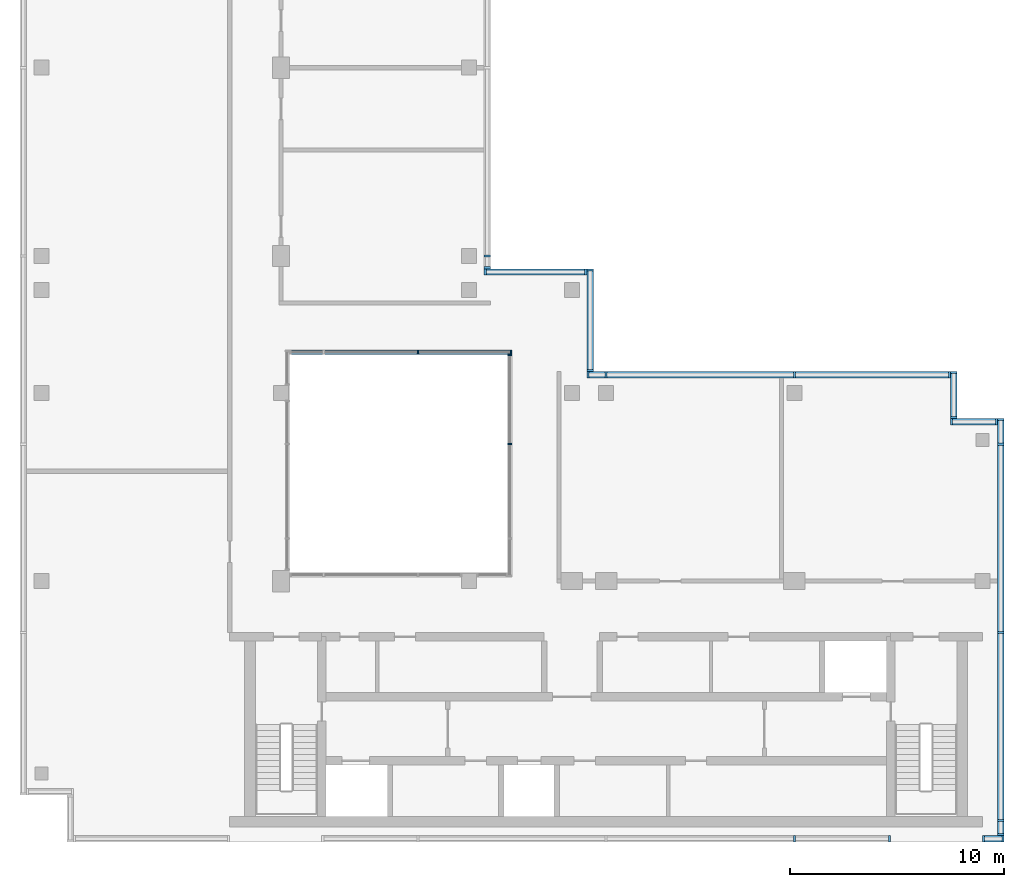
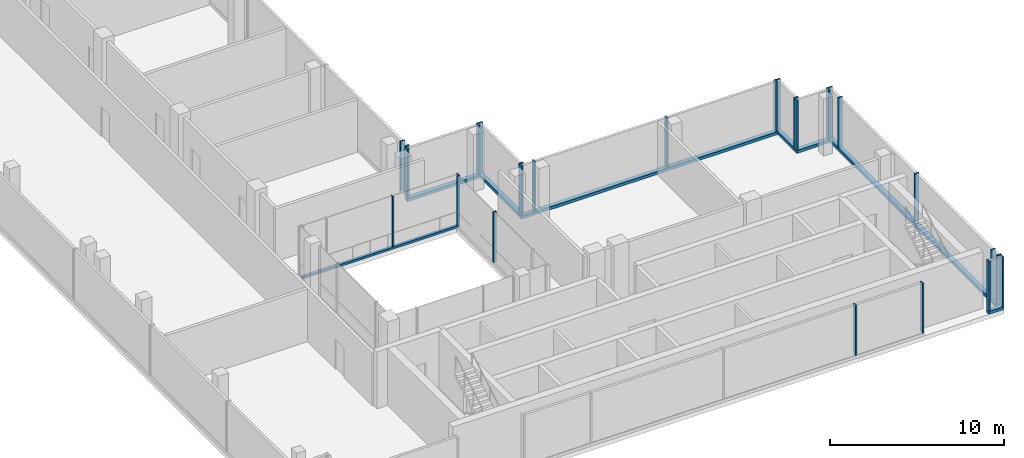
# One storey, part 5 of 11: 35 members, 11 elements without a shape of their own.
"""IFC4 building model written with IfcOpenShell, lengths in metres."""

from ifc_helpers import new_model, si_unit, direction, frame, origin, origin_2d, place, context, subcontext, project, spatial, rectangle, extrude, source, transform, mapped, material, material_profile, profile_set, type_object, element, aggregate, save


model = new_model("IFC4")

# Units and contexts
model_context = context("Model", 3, precision=1e-05, world=origin(), true_north=direction((0.0, 1.0)))
body_context = subcontext(model_context, "Body", "Model", "MODEL_VIEW")
ifc_project = project(units=[si_unit("LENGTHUNIT", "METRE"), si_unit("AREAUNIT", "SQUARE_METRE"), si_unit("VOLUMEUNIT", "CUBIC_METRE"), si_unit("PLANEANGLEUNIT", "RADIAN"), si_unit("MASSUNIT", "GRAM", prefix="KILO")], contexts=[model_context])

# Site, building, storey
site_placement = place(None, origin())
site = spatial("IfcSite", under=ifc_project, at=site_placement, CompositionType="ELEMENT")
building_placement = place(site_placement, origin())
building = spatial("IfcBuilding", under=site, at=building_placement, Name="Kemantara Hotel Tower", CompositionType="ELEMENT")
storey_placement = place(building_placement, frame((0.0, 0.0, 326.199951171875)))
storey = spatial("IfcBuildingStorey", under=building, at=storey_placement, Name="L82", CompositionType="ELEMENT", Elevation=326.199951171875)

# Curtain wall, member
ifc_material_1 = material(Name="Clear low-iron laminated glass 36 mm", Category="glass")
curtain_wall_type_1 = type_object("IfcCurtainWallType", Name="ATRIUM GLAZING WALL", PredefinedType="USERDEFINED", material=ifc_material_1)
curtain_wall_1_placement = place(storey_placement, origin())
curtain_wall_1 = element("IfcCurtainWall", 1, at=curtain_wall_1_placement, inside=storey, type_object=curtain_wall_type_1, Name="CW5 L82 ATR-R0-1", ObjectType="ATRIUM GLAZING WALL", PredefinedType="USERDEFINED")
ifc_material_2 = material(Name="Aluminium 6063-T6 bronze anodised", Category="aluminium")
ifc_material_profile_1 = material_profile(ifc_material_2, rectangle(XDim=0.199951171875, YDim=0.14990234375, at=origin_2d()), Name="ATRIUM GLAZING WALL TRANSOM")
ifc_profile_set_1 = profile_set([ifc_material_profile_1], Name="Aluminium 6063-T6 bronze anodised")
member_type_1 = type_object("IfcMemberType", Name="ATRIUM GLAZING WALL TRANSOM", PredefinedType="USERDEFINED", material=ifc_profile_set_1)
member_1_placement = place(storey_placement, frame((12.60009765625, 22.89990234375, 0.074951171875), z_axis=(1.0, 0.0, 0.0), x_axis=(0.0, 1.0, 0.0)))
member_1 = element("IfcMember", 2, at=member_1_placement, type_object=member_type_1, Name="CW5 sill transom ATR-R0-1", ObjectType="TRANSOM", PredefinedType="USERDEFINED", context=body_context, shape_type="SweptSolid", body=[
    extrude(rectangle(XDim=0.199951171875, YDim=0.14990234375, at=origin_2d()), origin(), (0.0, 0.0, 1.0), 10.39990234375),
])

curtain_wall_type_2 = type_object("IfcCurtainWallType", Name="CROWN LOUVRE SCREEN WALL", PredefinedType="USERDEFINED", material=ifc_material_2)
curtain_wall_2_placement = place(storey_placement, origin())
curtain_wall_2 = element("IfcCurtainWall", 3, at=curtain_wall_2_placement, inside=storey, type_object=curtain_wall_type_2, Name="CW7 L82 CRN-R08-3", ObjectType="CROWN LOUVRE SCREEN WALL", PredefinedType="USERDEFINED")
ifc_material_profile_2 = material_profile(ifc_material_2, rectangle(XDim=0.300048828125, YDim=0.199951171875, at=origin_2d()), Name="CROWN LOUVRE SCREEN WALL TRANSOM")
ifc_profile_set_2 = profile_set([ifc_material_profile_2], Name="Aluminium 6063-T6 bronze anodised")
member_type_2 = type_object("IfcMemberType", Name="CROWN LOUVRE SCREEN WALL TRANSOM", PredefinedType="USERDEFINED", material=ifc_profile_set_2)
member_2_placement = place(storey_placement, frame((45.0, 0.14990234375, 0.10009765625), z_axis=(1.0, 0.0, 0.0), x_axis=(0.0, 1.0, 0.0)))
member_2 = element("IfcMember", 4, at=member_2_placement, type_object=member_type_2, Name="CW7 sill transom CRN-R08-3", ObjectType="TRANSOM", PredefinedType="USERDEFINED", context=body_context, shape_type="SweptSolid", body=[
    extrude(rectangle(XDim=0.300048828125, YDim=0.199951171875, at=origin_2d()), origin(), (0.0, 0.0, 1.0), 1.0),
])

curtain_wall_3_placement = place(storey_placement, origin())
curtain_wall_3 = element("IfcCurtainWall", 5, at=curtain_wall_3_placement, inside=storey, type_object=curtain_wall_type_2, Name="CW7 L82 CRN-R09-1", ObjectType="CROWN LOUVRE SCREEN WALL", PredefinedType="USERDEFINED")
member_3_placement = place(storey_placement, frame((45.85009765625, 0.300048828125, 0.10009765625), z_axis=(0.0, 1.0, 0.0), x_axis=(-1.0, 0.0, 0.0)))
member_3 = element("IfcMember", 6, at=member_3_placement, type_object=member_type_2, Name="CW7 sill transom CRN-R09-1", ObjectType="TRANSOM", PredefinedType="USERDEFINED", context=body_context, shape_type="SweptSolid", body=[
    extrude(rectangle(XDim=0.300048828125, YDim=0.199951171875, at=origin_2d()), origin(), (0.0, 0.0, 1.0), 19.5),
])

curtain_wall_4_placement = place(storey_placement, origin())
curtain_wall_4 = element("IfcCurtainWall", 7, at=curtain_wall_4_placement, inside=storey, type_object=curtain_wall_type_2, Name="CW7 L82 CRN-R12-1", ObjectType="CROWN LOUVRE SCREEN WALL", PredefinedType="USERDEFINED")
member_4_placement = place(storey_placement, frame((43.5, 21.85009765625, 0.10009765625), z_axis=(-1.0, 0.0, 0.0), x_axis=(0.0, -1.0, 0.0)))
member_4 = element("IfcMember", 8, at=member_4_placement, type_object=member_type_2, Name="CW7 sill transom CRN-R12-1", ObjectType="TRANSOM", PredefinedType="USERDEFINED", context=body_context, shape_type="SweptSolid", body=[
    extrude(rectangle(XDim=0.300048828125, YDim=0.199951171875, at=origin_2d()), origin(), (0.0, 0.0, 1.0), 17.0),
])

curtain_wall_5_placement = place(storey_placement, origin())
curtain_wall_5 = element("IfcCurtainWall", 9, at=curtain_wall_5_placement, inside=storey, type_object=curtain_wall_type_2, Name="CW7 L82 CRN-R13-1", ObjectType="CROWN LOUVRE SCREEN WALL", PredefinedType="USERDEFINED")
member_5_placement = place(storey_placement, frame((26.64990234375, 22.0, 0.10009765625), z_axis=(0.0, 1.0, 0.0), x_axis=(-1.0, 0.0, 0.0)))
member_5 = element("IfcMember", 10, at=member_5_placement, type_object=member_type_2, Name="CW7 sill transom CRN-R13-1", ObjectType="TRANSOM", PredefinedType="USERDEFINED", context=body_context, shape_type="SweptSolid", body=[
    extrude(rectangle(XDim=0.300048828125, YDim=0.199951171875, at=origin_2d()), origin(), (0.0, 0.0, 1.0), 4.800048828125),
])

curtain_wall_6_placement = place(storey_placement, origin())
curtain_wall_6 = element("IfcCurtainWall", 11, at=curtain_wall_6_placement, inside=storey, type_object=curtain_wall_type_2, Name="CW7 L82 CRN-R14-1", ObjectType="CROWN LOUVRE SCREEN WALL", PredefinedType="USERDEFINED")
member_6_placement = place(storey_placement, frame((26.5, 26.64990234375, 0.10009765625), z_axis=(-1.0, 0.0, 0.0), x_axis=(0.0, -1.0, 0.0)))
member_6 = element("IfcMember", 12, at=member_6_placement, type_object=member_type_2, Name="CW7 sill transom CRN-R14-1", ObjectType="TRANSOM", PredefinedType="USERDEFINED", context=body_context, shape_type="SweptSolid", body=[
    extrude(rectangle(XDim=0.300048828125, YDim=0.199951171875, at=origin_2d()), origin(), (0.0, 0.0, 1.0), 4.800048828125),
])

curtain_wall_7_placement = place(storey_placement, origin())
curtain_wall_7 = element("IfcCurtainWall", 13, at=curtain_wall_7_placement, inside=storey, type_object=curtain_wall_type_2, Name="CW7 L82 CRN-R10-1", ObjectType="CROWN LOUVRE SCREEN WALL", PredefinedType="USERDEFINED")
member_7_placement = place(storey_placement, frame((45.699951171875, 19.64990234375, 0.10009765625), z_axis=(-1.0, 0.0, 0.0), x_axis=(0.0, -1.0, 0.0)))
member_7 = element("IfcMember", 14, at=member_7_placement, type_object=member_type_2, Name="CW7 sill transom CRN-R10-1", ObjectType="TRANSOM", PredefinedType="USERDEFINED", context=body_context, shape_type="SweptSolid", body=[
    extrude(rectangle(XDim=0.300048828125, YDim=0.199951171875, at=origin_2d()), origin(), (0.0, 0.0, 1.0), 2.199951171875),
])

curtain_wall_8_placement = place(storey_placement, origin())
curtain_wall_8 = element("IfcCurtainWall", 15, at=curtain_wall_8_placement, inside=storey, type_object=curtain_wall_type_2, Name="CW7 L82 CRN-R11-1", ObjectType="CROWN LOUVRE SCREEN WALL", PredefinedType="USERDEFINED")
member_8_placement = place(storey_placement, frame((43.64990234375, 19.800048828125, 0.10009765625), z_axis=(0.0, 1.0, 0.0), x_axis=(-1.0, 0.0, 0.0)))
member_8 = element("IfcMember", 16, at=member_8_placement, type_object=member_type_2, Name="CW7 sill transom CRN-R11-1", ObjectType="TRANSOM", PredefinedType="USERDEFINED", context=body_context, shape_type="SweptSolid", body=[
    extrude(rectangle(XDim=0.300048828125, YDim=0.199951171875, at=origin_2d()), origin(), (0.0, 0.0, 1.0), 2.199951171875),
])

# Curtain wall, members
curtain_wall_9_placement = place(storey_placement, origin())
curtain_wall_9 = element("IfcCurtainWall", 17, at=curtain_wall_9_placement, inside=storey, type_object=curtain_wall_type_2, Name="CW7 L82 CRN-R08-2", ObjectType="CROWN LOUVRE SCREEN WALL", PredefinedType="USERDEFINED")
ifc_material_profile_3 = material_profile(ifc_material_2, rectangle(XDim=0.300048828125, YDim=0.10009765625, at=origin_2d()), Name="CROWN LOUVRE SCREEN WALL MULLION")
ifc_profile_set_3 = profile_set([ifc_material_profile_3], Name="Aluminium 6063-T6 bronze anodised")
member_type_3 = type_object("IfcMemberType", Name="CROWN LOUVRE SCREEN WALL MULLION", PredefinedType="MULLION", material=ifc_profile_set_3)
shared_shape_1 = source(origin(), body_context, "Body", "SweptSolid", [
    extrude(rectangle(XDim=0.300048828125, YDim=0.10009765625, at=origin_2d()), origin(), (0.0, 0.0, 1.0), 3.5),
])
member_9_placement = place(storey_placement, frame((36.199951171875, 0.14990234375, 0.199951171875), z_axis=(0.0, 0.0, 1.0), x_axis=(0.0, 1.0, 0.0)))
member_9 = element("IfcMember", 18, at=member_9_placement, type_object=member_type_3, Name="CW7 mullion CRN-R08-2.4", PredefinedType="MULLION", context=body_context, shape_type="MappedRepresentation", body=[
    mapped(shared_shape_1, transform((0.0, 0.0, 0.0))),
])
member_10_placement = place(storey_placement, frame((40.64990234375, 0.14990234375, 0.199951171875), z_axis=(0.0, 0.0, 1.0), x_axis=(0.0, 1.0, 0.0)))
member_10 = element("IfcMember", 19, at=member_10_placement, type_object=member_type_3, Name="CW7 mullion CRN-R08-2.5", PredefinedType="MULLION", context=body_context, shape_type="MappedRepresentation", body=[
    mapped(shared_shape_1, transform((0.0, 0.0, 0.0))),
])
aggregate(curtain_wall_9, [member_9, member_10])

# Member
member_11_placement = place(storey_placement, frame((45.050048828125, 0.14990234375, 0.199951171875), z_axis=(0.0, 0.0, 1.0), x_axis=(0.0, 1.0, 0.0)))
member_11 = element("IfcMember", 20, at=member_11_placement, type_object=member_type_3, Name="CW7 mullion CRN-R08-3.1", PredefinedType="MULLION", context=body_context, shape_type="MappedRepresentation", body=[
    mapped(shared_shape_1, transform((0.0, 0.0, 0.0))),
])

member_12_placement = place(storey_placement, frame((45.949951171875, 0.14990234375, 0.199951171875), z_axis=(0.0, 0.0, 1.0), x_axis=(0.0, 1.0, 0.0)))
member_12 = element("IfcMember", 21, at=member_12_placement, type_object=member_type_3, Name="CW7 mullion CRN-R08-3.2", PredefinedType="MULLION", context=body_context, shape_type="MappedRepresentation", body=[
    mapped(shared_shape_1, transform((0.0, 0.0, 0.0))),
])

aggregate(curtain_wall_2, [member_2, member_11, member_12])

member_13_placement = place(storey_placement, frame((45.85009765625, 0.35009765625, 0.199951171875), z_axis=(0.0, 0.0, 1.0), x_axis=(-1.0, 0.0, 0.0)))
member_13 = element("IfcMember", 22, at=member_13_placement, type_object=member_type_3, Name="CW7 mullion CRN-R09-1.1", PredefinedType="MULLION", context=body_context, shape_type="MappedRepresentation", body=[
    mapped(shared_shape_1, transform((0.0, 0.0, 0.0))),
])

member_14_placement = place(storey_placement, frame((45.85009765625, 1.0, 0.199951171875), z_axis=(0.0, 0.0, 1.0), x_axis=(-1.0, 0.0, 0.0)))
member_14 = element("IfcMember", 23, at=member_14_placement, type_object=member_type_3, Name="CW7 mullion CRN-R09-1.2", PredefinedType="MULLION", context=body_context, shape_type="MappedRepresentation", body=[
    mapped(shared_shape_1, transform((0.0, 0.0, 0.0))),
])

member_15_placement = place(storey_placement, frame((45.85009765625, 9.800048828125, 0.199951171875), z_axis=(0.0, 0.0, 1.0), x_axis=(-1.0, 0.0, 0.0)))
member_15 = element("IfcMember", 24, at=member_15_placement, type_object=member_type_3, Name="CW7 mullion CRN-R09-1.3", PredefinedType="MULLION", context=body_context, shape_type="MappedRepresentation", body=[
    mapped(shared_shape_1, transform((0.0, 0.0, 0.0))),
])

member_16_placement = place(storey_placement, frame((45.85009765625, 18.60009765625, 0.199951171875), z_axis=(0.0, 0.0, 1.0), x_axis=(-1.0, 0.0, 0.0)))
member_16 = element("IfcMember", 25, at=member_16_placement, type_object=member_type_3, Name="CW7 mullion CRN-R09-1.4", PredefinedType="MULLION", context=body_context, shape_type="MappedRepresentation", body=[
    mapped(shared_shape_1, transform((0.0, 0.0, 0.0))),
])

member_17_placement = place(storey_placement, frame((45.85009765625, 19.75, 0.199951171875), z_axis=(0.0, 0.0, 1.0), x_axis=(-1.0, 0.0, 0.0)))
member_17 = element("IfcMember", 26, at=member_17_placement, type_object=member_type_3, Name="CW7 mullion CRN-R09-1.5", PredefinedType="MULLION", context=body_context, shape_type="MappedRepresentation", body=[
    mapped(shared_shape_1, transform((0.0, 0.0, 0.0))),
])

aggregate(curtain_wall_3, [member_3, member_13, member_14, member_15, member_16, member_17])

member_18_placement = place(storey_placement, frame((43.449951171875, 21.85009765625, 0.199951171875), z_axis=(0.0, 0.0, 1.0), x_axis=(0.0, -1.0, 0.0)))
member_18 = element("IfcMember", 27, at=member_18_placement, type_object=member_type_3, Name="CW7 mullion CRN-R12-1.1", PredefinedType="MULLION", context=body_context, shape_type="MappedRepresentation", body=[
    mapped(shared_shape_1, transform((0.0, 0.0, 0.0))),
])

member_19_placement = place(storey_placement, frame((36.199951171875, 21.85009765625, 0.199951171875), z_axis=(0.0, 0.0, 1.0), x_axis=(0.0, -1.0, 0.0)))
member_19 = element("IfcMember", 28, at=member_19_placement, type_object=member_type_3, Name="CW7 mullion CRN-R12-1.2", PredefinedType="MULLION", context=body_context, shape_type="MappedRepresentation", body=[
    mapped(shared_shape_1, transform((0.0, 0.0, 0.0))),
])

member_20_placement = place(storey_placement, frame((27.39990234375, 21.85009765625, 0.199951171875), z_axis=(0.0, 0.0, 1.0), x_axis=(0.0, -1.0, 0.0)))
member_20 = element("IfcMember", 29, at=member_20_placement, type_object=member_type_3, Name="CW7 mullion CRN-R12-1.3", PredefinedType="MULLION", context=body_context, shape_type="MappedRepresentation", body=[
    mapped(shared_shape_1, transform((0.0, 0.0, 0.0))),
])

member_21_placement = place(storey_placement, frame((26.550048828125, 21.85009765625, 0.199951171875), z_axis=(0.0, 0.0, 1.0), x_axis=(0.0, -1.0, 0.0)))
member_21 = element("IfcMember", 30, at=member_21_placement, type_object=member_type_3, Name="CW7 mullion CRN-R12-1.4", PredefinedType="MULLION", context=body_context, shape_type="MappedRepresentation", body=[
    mapped(shared_shape_1, transform((0.0, 0.0, 0.0))),
])

aggregate(curtain_wall_4, [member_4, member_18, member_19, member_20, member_21])

member_22_placement = place(storey_placement, frame((26.64990234375, 22.050048828125, 0.199951171875), z_axis=(0.0, 0.0, 1.0), x_axis=(-1.0, 0.0, 0.0)))
member_22 = element("IfcMember", 31, at=member_22_placement, type_object=member_type_3, Name="CW7 mullion CRN-R13-1.1", PredefinedType="MULLION", context=body_context, shape_type="MappedRepresentation", body=[
    mapped(shared_shape_1, transform((0.0, 0.0, 0.0))),
])

member_23_placement = place(storey_placement, frame((26.64990234375, 26.75, 0.199951171875), z_axis=(0.0, 0.0, 1.0), x_axis=(-1.0, 0.0, 0.0)))
member_23 = element("IfcMember", 32, at=member_23_placement, type_object=member_type_3, Name="CW7 mullion CRN-R13-1.2", PredefinedType="MULLION", context=body_context, shape_type="MappedRepresentation", body=[
    mapped(shared_shape_1, transform((0.0, 0.0, 0.0))),
])

aggregate(curtain_wall_5, [member_5, member_22, member_23])

member_24_placement = place(storey_placement, frame((26.449951171875, 26.64990234375, 0.199951171875), z_axis=(0.0, 0.0, 1.0), x_axis=(0.0, -1.0, 0.0)))
member_24 = element("IfcMember", 33, at=member_24_placement, type_object=member_type_3, Name="CW7 mullion CRN-R14-1.1", PredefinedType="MULLION", context=body_context, shape_type="MappedRepresentation", body=[
    mapped(shared_shape_1, transform((0.0, 0.0, 0.0))),
])

member_25_placement = place(storey_placement, frame((21.75, 26.64990234375, 0.199951171875), z_axis=(0.0, 0.0, 1.0), x_axis=(0.0, -1.0, 0.0)))
member_25 = element("IfcMember", 34, at=member_25_placement, type_object=member_type_3, Name="CW7 mullion CRN-R14-1.2", PredefinedType="MULLION", context=body_context, shape_type="MappedRepresentation", body=[
    mapped(shared_shape_1, transform((0.0, 0.0, 0.0))),
])

aggregate(curtain_wall_6, [member_6, member_24, member_25])

# Curtain wall, members
curtain_wall_10_placement = place(storey_placement, origin())
curtain_wall_10 = element("IfcCurtainWall", 35, at=curtain_wall_10_placement, inside=storey, type_object=curtain_wall_type_2, Name="CW7 L82 CRN-R15-1", ObjectType="CROWN LOUVRE SCREEN WALL", PredefinedType="USERDEFINED")
member_26_placement = place(storey_placement, frame((21.85009765625, 26.85009765625, 0.199951171875), z_axis=(0.0, 0.0, 1.0), x_axis=(-1.0, 0.0, 0.0)))
member_26 = element("IfcMember", 36, at=member_26_placement, type_object=member_type_3, Name="CW7 mullion CRN-R15-1.1", PredefinedType="MULLION", context=body_context, shape_type="MappedRepresentation", body=[
    mapped(shared_shape_1, transform((0.0, 0.0, 0.0))),
])
member_27_placement = place(storey_placement, frame((21.85009765625, 27.39990234375, 0.199951171875), z_axis=(0.0, 0.0, 1.0), x_axis=(-1.0, 0.0, 0.0)))
member_27 = element("IfcMember", 37, at=member_27_placement, type_object=member_type_3, Name="CW7 mullion CRN-R15-1.2", PredefinedType="MULLION", context=body_context, shape_type="MappedRepresentation", body=[
    mapped(shared_shape_1, transform((0.0, 0.0, 0.0))),
])
aggregate(curtain_wall_10, [member_26, member_27])

# Member
member_28_placement = place(storey_placement, frame((45.64990234375, 19.64990234375, 0.199951171875), z_axis=(0.0, 0.0, 1.0), x_axis=(0.0, -1.0, 0.0)))
member_28 = element("IfcMember", 38, at=member_28_placement, type_object=member_type_3, Name="CW7 mullion CRN-R10-1.1", PredefinedType="MULLION", context=body_context, shape_type="MappedRepresentation", body=[
    mapped(shared_shape_1, transform((0.0, 0.0, 0.0))),
])

member_29_placement = place(storey_placement, frame((43.550048828125, 19.64990234375, 0.199951171875), z_axis=(0.0, 0.0, 1.0), x_axis=(0.0, -1.0, 0.0)))
member_29 = element("IfcMember", 39, at=member_29_placement, type_object=member_type_3, Name="CW7 mullion CRN-R10-1.2", PredefinedType="MULLION", context=body_context, shape_type="MappedRepresentation", body=[
    mapped(shared_shape_1, transform((0.0, 0.0, 0.0))),
])

aggregate(curtain_wall_7, [member_7, member_28, member_29])

member_30_placement = place(storey_placement, frame((43.64990234375, 19.85009765625, 0.199951171875), z_axis=(0.0, 0.0, 1.0), x_axis=(-1.0, 0.0, 0.0)))
member_30 = element("IfcMember", 40, at=member_30_placement, type_object=member_type_3, Name="CW7 mullion CRN-R11-1.1", PredefinedType="MULLION", context=body_context, shape_type="MappedRepresentation", body=[
    mapped(shared_shape_1, transform((0.0, 0.0, 0.0))),
])

member_31_placement = place(storey_placement, frame((43.64990234375, 21.949951171875, 0.199951171875), z_axis=(0.0, 0.0, 1.0), x_axis=(-1.0, 0.0, 0.0)))
member_31 = element("IfcMember", 41, at=member_31_placement, type_object=member_type_3, Name="CW7 mullion CRN-R11-1.2", PredefinedType="MULLION", context=body_context, shape_type="MappedRepresentation", body=[
    mapped(shared_shape_1, transform((0.0, 0.0, 0.0))),
])

aggregate(curtain_wall_8, [member_8, member_30, member_31])

ifc_material_profile_4 = material_profile(ifc_material_2, rectangle(XDim=0.199951171875, YDim=0.074951171875, at=origin_2d()), Name="ATRIUM GLAZING WALL MULLION")
ifc_profile_set_4 = profile_set([ifc_material_profile_4], Name="Aluminium 6063-T6 bronze anodised")
member_type_4 = type_object("IfcMemberType", Name="ATRIUM GLAZING WALL MULLION", PredefinedType="MULLION", material=ifc_profile_set_4)
shared_shape_2 = source(origin(), body_context, "Body", "SweptSolid", [
    extrude(rectangle(XDim=0.199951171875, YDim=0.074951171875, at=origin_2d()), origin(), (0.0, 0.0, 1.0), 3.5498046875),
])
member_32_placement = place(storey_placement, frame((18.60009765625, 22.89990234375, 0.150146484375), z_axis=(0.0, 0.0, 1.0), x_axis=(0.0, 1.0, 0.0)))
member_32 = element("IfcMember", 42, at=member_32_placement, type_object=member_type_4, Name="CW5 mullion ATR-R0-1.3", PredefinedType="MULLION", context=body_context, shape_type="MappedRepresentation", body=[
    mapped(shared_shape_2, transform((0.0, 0.0, 0.0))),
])

member_33_placement = place(storey_placement, frame((22.96240234375, 22.89990234375, 0.150146484375), z_axis=(0.0, 0.0, 1.0), x_axis=(0.0, 1.0, 0.0)))
member_33 = element("IfcMember", 43, at=member_33_placement, type_object=member_type_4, Name="CW5 mullion ATR-R0-1.4", PredefinedType="MULLION", context=body_context, shape_type="MappedRepresentation", body=[
    mapped(shared_shape_2, transform((0.0, 0.0, 0.0))),
])

aggregate(curtain_wall_1, [member_1, member_32, member_33])

# Curtain wall, members
curtain_wall_11_placement = place(storey_placement, origin())
curtain_wall_11 = element("IfcCurtainWall", 44, at=curtain_wall_11_placement, inside=storey, type_object=curtain_wall_type_1, Name="CW5 L82 ATR-R1-1", ObjectType="ATRIUM GLAZING WALL", PredefinedType="USERDEFINED")
member_34_placement = place(storey_placement, frame((22.89990234375, 22.762451171875, 0.150146484375), z_axis=(0.0, 0.0, 1.0), x_axis=(1.0, 0.0, 0.0)))
member_34 = element("IfcMember", 45, at=member_34_placement, type_object=member_type_4, Name="CW5 mullion ATR-R1-1.1", PredefinedType="MULLION", context=body_context, shape_type="MappedRepresentation", body=[
    mapped(shared_shape_2, transform((0.0, 0.0, 0.0))),
])
member_35_placement = place(storey_placement, frame((22.89990234375, 18.60009765625, 0.150146484375), z_axis=(0.0, 0.0, 1.0), x_axis=(1.0, 0.0, 0.0)))
member_35 = element("IfcMember", 46, at=member_35_placement, type_object=member_type_4, Name="CW5 mullion ATR-R1-1.2", PredefinedType="MULLION", context=body_context, shape_type="MappedRepresentation", body=[
    mapped(shared_shape_2, transform((0.0, 0.0, 0.0))),
])
aggregate(curtain_wall_11, [member_34, member_35])

save(model, "model.ifc")
